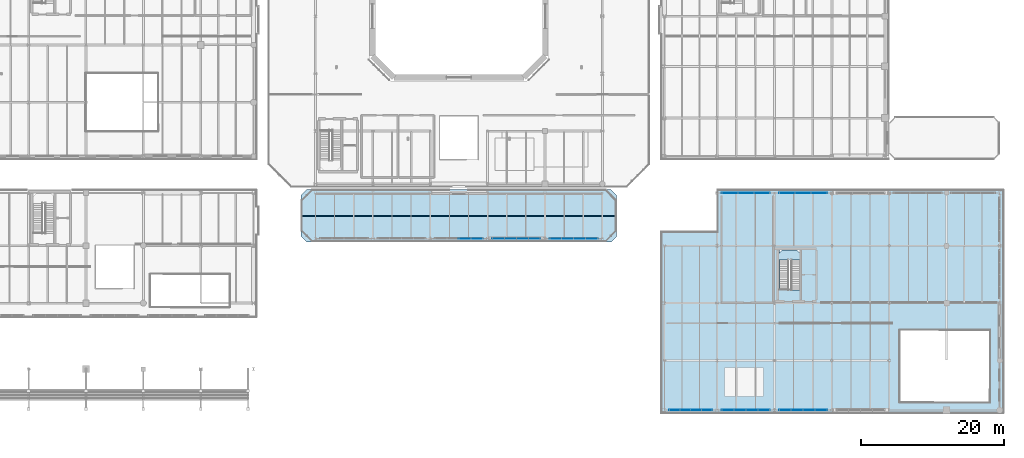
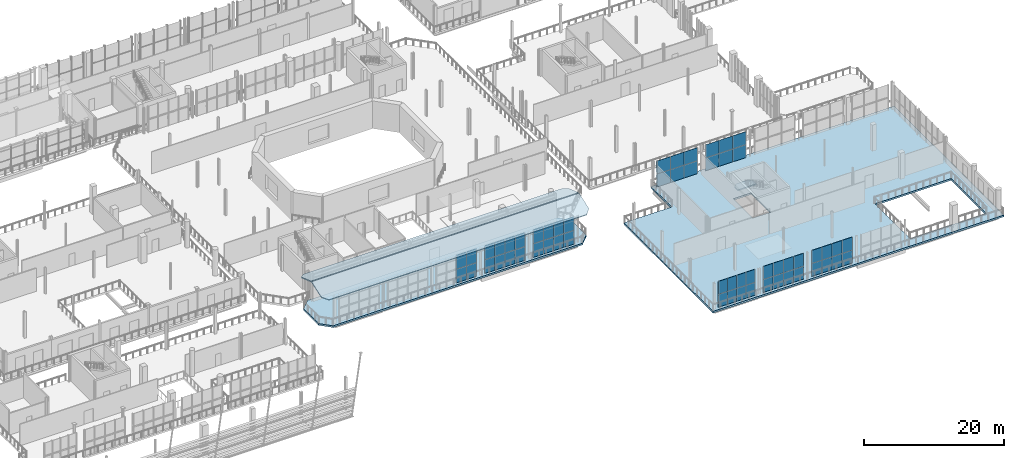
# One storey, part 62 of 93: 56 plates, 5 slabs, 9 elements without a shape of their own.
"""IFC4 building model written with IfcOpenShell, lengths in metres."""

import ifcopenshell
import ifcopenshell.guid

model = None  # the IFC model being written
_history = None  # IfcOwnerHistory: only IFC2X3 demands one
_inside = {}  # id of a spatial element -> (the spatial element, [elements in it])
_under = {}  # id of a project, library or spatial element -> (it, [spatial elements below it])
_declared = {}  # id of a project -> (the project, [libraries it declares])
_typed = {}  # id of a type object -> (the type object, [elements of that type])
_made_of = {}  # id of a material, layer set ... -> (it, [elements and type objects made of it])


def new_model(schema):
    """Start an empty IFC model of exactly this schema.

    Asked for "IFC4X3", IfcOpenShell would pick the latest addendum, in which some entities
    have other attributes; the version numbers below select the first issue.
    IFC2X3 requires an IfcOwnerHistory on every rooted entity: one is made here for all.
    """
    global model, _history
    if schema == "IFC4X3":
        model = ifcopenshell.file(schema_version=(4, 3, 0, 0))
    else:
        model = ifcopenshell.file(schema=schema)
    _inside.clear()
    _under.clear()
    _declared.clear()
    _typed.clear()
    _made_of.clear()
    _history = None
    if model.schema == "IFC2X3":
        org = make("IfcOrganization", Name="unknown")
        user = make(
            "IfcPersonAndOrganization",
            ThePerson=make("IfcPerson", FamilyName="unknown"),
            TheOrganization=org,
        )
        app = make(
            "IfcApplication",
            ApplicationDeveloper=org,
            Version="unknown",
            ApplicationFullName="unknown",
            ApplicationIdentifier="unknown",
        )
        _history = make(
            "IfcOwnerHistory",
            OwningUser=user,
            OwningApplication=app,
            ChangeAction="ADDED",
            CreationDate=0,
        )
    return model


def make(cls, **values):
    """One entity of the class cls with the attributes given. An attribute that is None is left unset."""
    return model.create_entity(
        cls, **{name: value for name, value in values.items() if value is not None}
    )


def rooted(cls, **values):
    """An entity with a GlobalId (a new one), such as an element, a storey or a relation."""
    return make(cls, GlobalId=ifcopenshell.guid.new(), OwnerHistory=_history, **values)


def si_unit(unit_type, name, prefix=None):
    """IfcSIUnit, for example si_unit("LENGTHUNIT", "METRE", prefix="MILLI")."""
    return make("IfcSIUnit", UnitType=unit_type, Prefix=prefix, Name=name)


def assignment(units):
    """IfcUnitAssignment: the units of a project."""
    return None if units is None else make("IfcUnitAssignment", Units=units)


def point(xyz):
    """IfcCartesianPoint."""
    return None if xyz is None else make("IfcCartesianPoint", Coordinates=xyz)


def direction(xyz):
    """IfcDirection."""
    return None if xyz is None else make("IfcDirection", DirectionRatios=xyz)


def frame(location, z_axis=None, x_axis=None):
    """IfcAxis2Placement3D, a coordinate frame: its origin and axes. An axis left out is left unset."""
    return make(
        "IfcAxis2Placement3D",
        Location=point(location),
        Axis=direction(z_axis),
        RefDirection=direction(x_axis),
    )


def frame_2d(location, x_axis=None):
    """IfcAxis2Placement2D, a coordinate frame in the plane: its origin and x axis."""
    return make(
        "IfcAxis2Placement2D", Location=point(location), RefDirection=direction(x_axis)
    )


def origin():
    """The frame at (0, 0, 0) with its axes left unset."""
    return frame((0.0, 0.0, 0.0))


def origin_2d():
    """The frame at (0, 0) in the plane with its x axis left unset."""
    return frame_2d((0.0, 0.0))


def place(relative_to, where):
    """IfcLocalPlacement: puts the frame where relative to a parent placement (None: the world)."""
    return make(
        "IfcLocalPlacement", PlacementRelTo=relative_to, RelativePlacement=where
    )


def context(
    kind, dimensions, precision=None, world=None, true_north=None, identifier=None
):
    """IfcGeometricRepresentationContext, for example the 3D "Model" context."""
    return make(
        "IfcGeometricRepresentationContext",
        ContextIdentifier=identifier,
        ContextType=kind,
        CoordinateSpaceDimension=dimensions,
        Precision=precision,
        WorldCoordinateSystem=world,
        TrueNorth=true_north,
    )


def subcontext(parent, identifier, kind, view, scale=None):
    """IfcGeometricRepresentationSubContext, for example "Body" below "Model"."""
    return make(
        "IfcGeometricRepresentationSubContext",
        ContextIdentifier=identifier,
        ContextType=kind,
        ParentContext=parent,
        TargetScale=scale,
        TargetView=view,
    )


def project(units=None, contexts=None):
    """IfcProject with its units and contexts."""
    return rooted(
        "IfcProject",
        Name="project",
        RepresentationContexts=contexts,
        UnitsInContext=assignment(units),
    )


def spatial(cls, under=None, at=None, **own):
    """A site, building, storey or space (cls), placed at a placement, below another one or the project."""
    s = rooted(cls, ObjectPlacement=at, **own)
    if under is not None:
        _under.setdefault(under.id(), (under, []))[1].append(s)
    return s


def polyline(points):
    """IfcPolyline through the points."""
    return make("IfcPolyline", Points=[point(p) for p in points])


def profile(cls, at=None, kind="AREA", **sizes):
    """A parametric profile (cls). Its sizes go by their IFC names, for example OverallWidth=200.0."""
    return make(cls, ProfileType=kind, Position=at, **sizes)


def rectangle(**sizes):
    """IfcRectangleProfileDef."""
    return profile("IfcRectangleProfileDef", **sizes)


def outline(outer, holes=None, kind="AREA"):
    """IfcArbitraryClosedProfileDef: a profile drawn as a closed curve; with holes, ...WithVoids."""
    if holes is None:
        return make("IfcArbitraryClosedProfileDef", ProfileType=kind, OuterCurve=outer)
    return make(
        "IfcArbitraryProfileDefWithVoids",
        ProfileType=kind,
        OuterCurve=outer,
        InnerCurves=holes,
    )


def extrude(swept, where, along, depth):
    """IfcExtrudedAreaSolid: the profile swept, set in the frame where, extruded along a direction by depth."""
    return make(
        "IfcExtrudedAreaSolid",
        SweptArea=swept,
        Position=where,
        ExtrudedDirection=direction(along),
        Depth=depth,
    )


def shape(context_of_items, identifier, shape_type, items):
    """IfcShapeRepresentation: the items that make up one representation, for example the "Body"."""
    return make(
        "IfcShapeRepresentation",
        ContextOfItems=context_of_items,
        RepresentationIdentifier=identifier,
        RepresentationType=shape_type,
        Items=items,
    )


def material(Name=None, Category=None):
    """IfcMaterial."""
    return make("IfcMaterial", Name=Name, Category=Category)


def layer(
    of_material, thickness, ventilated=None, Name=None, Category=None, Priority=None
):
    """IfcMaterialLayer: one layer of a wall or slab, of a material (None: an air gap)."""
    return make(
        "IfcMaterialLayer",
        Material=of_material,
        LayerThickness=thickness,
        IsVentilated=ventilated,
        Name=Name,
        Category=Category,
        Priority=Priority,
    )


def layer_set(layers, Name=None):
    """IfcMaterialLayerSet."""
    return make("IfcMaterialLayerSet", MaterialLayers=layers, LayerSetName=Name)


def made_of(thing, what):
    """Note that an element or type object is made of a material, layer set ...; save() writes the relation."""
    if what is not None:
        _made_of.setdefault(what.id(), (what, []))[1].append(thing)
    return thing


def type_object(cls, material=None, **own):
    """A type object (cls), such as IfcWallType, which elements share."""
    return made_of(rooted(cls, **own), material)


def element(
    cls,
    number,
    at=None,
    inside=None,
    cuts=None,
    type_object=None,
    material=None,
    context=None,
    identifier="Body",
    shape_type=None,
    held_by="IfcProductDefinitionShape",
    body=None,
    shapes=None,
    **own,
):
    """One element of the class cls, such as IfcWall. Its Tag is "e" and its number.

    at: its placement. inside: the storey or other place that contains it. cuts: it is an
    opening in that element (IfcRelVoidsElement). A single representation is given by context,
    identifier, shape_type and body (its items); several are given by shapes. held_by: the class
    of the entity that holds the representations. save() writes the other relations.
    """
    e = rooted(cls, Tag="e%d" % number, ObjectPlacement=at, **own)
    if body is not None:
        shapes = [shape(context, identifier, shape_type, body)]
    if shapes is not None:
        e.Representation = make(held_by, Representations=shapes)
    if inside is not None:
        _inside.setdefault(inside.id(), (inside, []))[1].append(e)
    if cuts is not None:
        rooted(
            "IfcRelVoidsElement", RelatingBuildingElement=cuts, RelatedOpeningElement=e
        )
    if type_object is not None:
        _typed.setdefault(type_object.id(), (type_object, []))[1].append(e)
    return made_of(e, material)


def aggregate(whole, parts):
    """IfcRelAggregates: a whole, such as a stair, and the parts it consists of."""
    return rooted("IfcRelAggregates", RelatingObject=whole, RelatedObjects=parts)


def save(model, path):
    """Write the relations noted so far, then the file.

    IfcRelAggregates (storeys below a building ...), IfcRelContainedInSpatialStructure (elements
    in a storey), IfcRelDefinesByType, IfcRelAssociatesMaterial and IfcRelDeclares: one each for
    every whole, place, type object, material and project.
    """
    for whole, parts in _under.values():
        aggregate(whole, parts)
    for where, things in _inside.values():
        rooted(
            "IfcRelContainedInSpatialStructure",
            RelatedElements=things,
            RelatingStructure=where,
        )
    for kind, things in _typed.values():
        rooted("IfcRelDefinesByType", RelatedObjects=things, RelatingType=kind)
    for what, things in _made_of.values():
        rooted("IfcRelAssociatesMaterial", RelatedObjects=things, RelatingMaterial=what)
    for by, libraries in _declared.values():
        rooted("IfcRelDeclares", RelatingContext=by, RelatedDefinitions=libraries)
    model.write(path)


model = new_model("IFC4")

# Units and contexts
model_context = context("Model", 3, precision=1e-05, world=origin(), true_north=direction((0.0, 1.0)))
body_context = subcontext(model_context, "Body", "Model", "MODEL_VIEW")
ifc_project = project(units=[si_unit("LENGTHUNIT", "METRE"), si_unit("AREAUNIT", "SQUARE_METRE"), si_unit("VOLUMEUNIT", "CUBIC_METRE"), si_unit("PLANEANGLEUNIT", "RADIAN"), si_unit("MASSUNIT", "GRAM", prefix="KILO")], contexts=[model_context])

# Site, building, storey
site_placement = place(None, origin())
site = spatial("IfcSite", under=ifc_project, at=site_placement, CompositionType="ELEMENT")
building_placement = place(site_placement, origin())
building = spatial("IfcBuilding", under=site, at=building_placement, Name="Brisemont Oceanarium", CompositionType="ELEMENT")
storey_placement = place(building_placement, frame((0.0, 0.0, 5.39990234375)))
storey = spatial("IfcBuildingStorey", under=building, at=storey_placement, Name="L01", CompositionType="ELEMENT", Elevation=5.39990234375)

# Curtain wall, plates
ifc_material_1 = material(Name="Anodized Extruded Aluminum 6063-T6", Category="aluminium")
curtain_wall_type_1 = type_object("IfcCurtainWallType", Name="CW-EDU-58X43", PredefinedType="NOTDEFINED", material=ifc_material_1)
curtain_wall_1_placement = place(storey_placement, origin())
curtain_wall_1 = element("IfcCurtainWall", 1, at=curtain_wall_1_placement, inside=storey, type_object=curtain_wall_type_1, Name="CW-10 curtain wall CW-V3-N-L01-01", PredefinedType="NOTDEFINED")
ifc_material_2 = material(Name="Insulated Low-E Laminated Glass", Category="glass")
ifc_layer_1 = layer(ifc_material_2, 0.02587890625)
ifc_layer_set_1 = layer_set([ifc_layer_1], Name="Insulated Low-E Laminated Glass")
plate_type_1 = type_object("IfcPlateType", Name="PLT-CWP-V10", PredefinedType="CURTAIN_PANEL", material=ifc_layer_set_1)
plate_1_placement = place(storey_placement, frame((121.7666015625, 31.35009765625, 0.00146484375), z_axis=(0.0, 0.0, 1.0), x_axis=(1.0, 0.0, 0.0)))
plate_1 = element("IfcPlate", 2, at=plate_1_placement, type_object=plate_type_1, Name="CW-V3-N-L01-01 panel 1.1", PredefinedType="CURTAIN_PANEL", context=body_context, shape_type="SweptSolid", body=[
    extrude(rectangle(XDim=2.230224609375, YDim=0.02587890625, at=origin_2d()), origin(), (0.0, 0.0, 1.0), 2.257080078125),
])
plate_2_placement = place(storey_placement, frame((121.7666015625, 31.35009765625, 2.26171875), z_axis=(0.0, 0.0, 1.0), x_axis=(1.0, 0.0, 0.0)))
plate_2 = element("IfcPlate", 3, at=plate_2_placement, type_object=plate_type_1, Name="CW-V3-N-L01-01 panel 1.2", PredefinedType="CURTAIN_PANEL", context=body_context, shape_type="SweptSolid", body=[
    extrude(rectangle(XDim=2.230224609375, YDim=0.02587890625, at=origin_2d()), origin(), (0.0, 0.0, 1.0), 2.257080078125),
])
plate_3_placement = place(storey_placement, frame((124.0, 31.35009765625, 0.00146484375), z_axis=(0.0, 0.0, 1.0), x_axis=(1.0, 0.0, 0.0)))
plate_3 = element("IfcPlate", 4, at=plate_3_placement, type_object=plate_type_1, Name="CW-V3-N-L01-01 panel 2.1", PredefinedType="CURTAIN_PANEL", context=body_context, shape_type="SweptSolid", body=[
    extrude(rectangle(XDim=2.230224609375, YDim=0.02587890625, at=origin_2d()), origin(), (0.0, 0.0, 1.0), 2.257080078125),
])
plate_4_placement = place(storey_placement, frame((124.0, 31.35009765625, 2.26171875), z_axis=(0.0, 0.0, 1.0), x_axis=(1.0, 0.0, 0.0)))
plate_4 = element("IfcPlate", 5, at=plate_4_placement, type_object=plate_type_1, Name="CW-V3-N-L01-01 panel 2.2", PredefinedType="CURTAIN_PANEL", context=body_context, shape_type="SweptSolid", body=[
    extrude(rectangle(XDim=2.230224609375, YDim=0.02587890625, at=origin_2d()), origin(), (0.0, 0.0, 1.0), 2.257080078125),
])
plate_5_placement = place(storey_placement, frame((126.2333984375, 31.35009765625, 0.00146484375), z_axis=(0.0, 0.0, 1.0), x_axis=(1.0, 0.0, 0.0)))
plate_5 = element("IfcPlate", 6, at=plate_5_placement, type_object=plate_type_1, Name="CW-V3-N-L01-01 panel 3.1", PredefinedType="CURTAIN_PANEL", context=body_context, shape_type="SweptSolid", body=[
    extrude(rectangle(XDim=2.230224609375, YDim=0.02587890625, at=origin_2d()), origin(), (0.0, 0.0, 1.0), 2.257080078125),
])
plate_6_placement = place(storey_placement, frame((126.2333984375, 31.35009765625, 2.26171875), z_axis=(0.0, 0.0, 1.0), x_axis=(1.0, 0.0, 0.0)))
plate_6 = element("IfcPlate", 7, at=plate_6_placement, type_object=plate_type_1, Name="CW-V3-N-L01-01 panel 3.2", PredefinedType="CURTAIN_PANEL", context=body_context, shape_type="SweptSolid", body=[
    extrude(rectangle(XDim=2.230224609375, YDim=0.02587890625, at=origin_2d()), origin(), (0.0, 0.0, 1.0), 2.257080078125),
])
aggregate(curtain_wall_1, [plate_1, plate_2, plate_3, plate_4, plate_5, plate_6])

curtain_wall_2_placement = place(storey_placement, origin())
curtain_wall_2 = element("IfcCurtainWall", 8, at=curtain_wall_2_placement, inside=storey, type_object=curtain_wall_type_1, Name="CW-10 curtain wall CW-V3-N-L01-02", PredefinedType="NOTDEFINED")
plate_7_placement = place(storey_placement, frame((129.7666015625, 31.35009765625, 0.00146484375), z_axis=(0.0, 0.0, 1.0), x_axis=(1.0, 0.0, 0.0)))
plate_7 = element("IfcPlate", 9, at=plate_7_placement, type_object=plate_type_1, Name="CW-V3-N-L01-02 panel 1.1", PredefinedType="CURTAIN_PANEL", context=body_context, shape_type="SweptSolid", body=[
    extrude(rectangle(XDim=2.230224609375, YDim=0.02587890625, at=origin_2d()), origin(), (0.0, 0.0, 1.0), 2.257080078125),
])
plate_8_placement = place(storey_placement, frame((129.7666015625, 31.35009765625, 2.26171875), z_axis=(0.0, 0.0, 1.0), x_axis=(1.0, 0.0, 0.0)))
plate_8 = element("IfcPlate", 10, at=plate_8_placement, type_object=plate_type_1, Name="CW-V3-N-L01-02 panel 1.2", PredefinedType="CURTAIN_PANEL", context=body_context, shape_type="SweptSolid", body=[
    extrude(rectangle(XDim=2.230224609375, YDim=0.02587890625, at=origin_2d()), origin(), (0.0, 0.0, 1.0), 2.257080078125),
])
plate_9_placement = place(storey_placement, frame((132.0, 31.35009765625, 0.00146484375), z_axis=(0.0, 0.0, 1.0), x_axis=(1.0, 0.0, 0.0)))
plate_9 = element("IfcPlate", 11, at=plate_9_placement, type_object=plate_type_1, Name="CW-V3-N-L01-02 panel 2.1", PredefinedType="CURTAIN_PANEL", context=body_context, shape_type="SweptSolid", body=[
    extrude(rectangle(XDim=2.230224609375, YDim=0.02587890625, at=origin_2d()), origin(), (0.0, 0.0, 1.0), 2.257080078125),
])
plate_10_placement = place(storey_placement, frame((132.0, 31.35009765625, 2.26171875), z_axis=(0.0, 0.0, 1.0), x_axis=(1.0, 0.0, 0.0)))
plate_10 = element("IfcPlate", 12, at=plate_10_placement, type_object=plate_type_1, Name="CW-V3-N-L01-02 panel 2.2", PredefinedType="CURTAIN_PANEL", context=body_context, shape_type="SweptSolid", body=[
    extrude(rectangle(XDim=2.230224609375, YDim=0.02587890625, at=origin_2d()), origin(), (0.0, 0.0, 1.0), 2.257080078125),
])
plate_11_placement = place(storey_placement, frame((134.2333984375, 31.35009765625, 0.00146484375), z_axis=(0.0, 0.0, 1.0), x_axis=(1.0, 0.0, 0.0)))
plate_11 = element("IfcPlate", 13, at=plate_11_placement, type_object=plate_type_1, Name="CW-V3-N-L01-02 panel 3.1", PredefinedType="CURTAIN_PANEL", context=body_context, shape_type="SweptSolid", body=[
    extrude(rectangle(XDim=2.230224609375, YDim=0.02587890625, at=origin_2d()), origin(), (0.0, 0.0, 1.0), 2.257080078125),
])
plate_12_placement = place(storey_placement, frame((134.2333984375, 31.35009765625, 2.26171875), z_axis=(0.0, 0.0, 1.0), x_axis=(1.0, 0.0, 0.0)))
plate_12 = element("IfcPlate", 14, at=plate_12_placement, type_object=plate_type_1, Name="CW-V3-N-L01-02 panel 3.2", PredefinedType="CURTAIN_PANEL", context=body_context, shape_type="SweptSolid", body=[
    extrude(rectangle(XDim=2.230224609375, YDim=0.02587890625, at=origin_2d()), origin(), (0.0, 0.0, 1.0), 2.257080078125),
])
aggregate(curtain_wall_2, [plate_7, plate_8, plate_9, plate_10, plate_11, plate_12])

ifc_material_3 = material(Name="Anodized Extruded Aluminum 6063-T6", Category="aluminium")
curtain_wall_type_2 = type_object("IfcCurtainWallType", Name="CW-ROT-69X44", PredefinedType="NOTDEFINED", material=ifc_material_3)
curtain_wall_3_placement = place(storey_placement, origin())
curtain_wall_3 = element("IfcCurtainWall", 15, at=curtain_wall_3_placement, inside=storey, type_object=curtain_wall_type_2, Name="CW-03 curtain wall CW-V1P-S-L01-03", PredefinedType="NOTDEFINED")
ifc_material_4 = material(Name="Insulated Low-E Laminated Glass", Category="glass")
ifc_layer_2 = layer(ifc_material_4, 0.028076171875)
ifc_layer_set_2 = layer_set([ifc_layer_2], Name="Insulated Low-E Laminated Glass")
plate_type_2 = type_object("IfcPlateType", Name="PLT-CWP-V3", PredefinedType="CURTAIN_PANEL", material=ifc_layer_set_2)
plate_13_placement = place(storey_placement, frame((84.83740234375, 25.0, 0.001708984375), z_axis=(0.0, 0.0, 1.0), x_axis=(1.0, 0.0, 0.0)))
plate_13 = element("IfcPlate", 16, at=plate_13_placement, type_object=plate_type_2, Name="CW-V1P-S-L01-03 panel 3.1", PredefinedType="CURTAIN_PANEL", context=body_context, shape_type="SweptSolid", body=[
    extrude(rectangle(XDim=1.672119140625, YDim=0.028076171875, at=origin_2d()), origin(), (0.0, 0.0, 1.0), 2.39697265625),
])
plate_14_placement = place(storey_placement, frame((84.83740234375, 25.0, 2.401611328125), z_axis=(0.0, 0.0, 1.0), x_axis=(1.0, 0.0, 0.0)))
plate_14 = element("IfcPlate", 17, at=plate_14_placement, type_object=plate_type_2, Name="CW-V1P-S-L01-03 panel 3.2", PredefinedType="CURTAIN_PANEL", context=body_context, shape_type="SweptSolid", body=[
    extrude(rectangle(XDim=1.672119140625, YDim=0.028076171875, at=origin_2d()), origin(), (0.0, 0.0, 1.0), 2.39697265625),
])
plate_15_placement = place(storey_placement, frame((86.512451171875, 25.0, 0.001708984375), z_axis=(0.0, 0.0, 1.0), x_axis=(1.0, 0.0, 0.0)))
plate_15 = element("IfcPlate", 18, at=plate_15_placement, type_object=plate_type_2, Name="CW-V1P-S-L01-03 panel 4.1", PredefinedType="CURTAIN_PANEL", context=body_context, shape_type="SweptSolid", body=[
    extrude(rectangle(XDim=1.672119140625, YDim=0.028076171875, at=origin_2d()), origin(), (0.0, 0.0, 1.0), 2.39697265625),
])
plate_16_placement = place(storey_placement, frame((86.512451171875, 25.0, 2.401611328125), z_axis=(0.0, 0.0, 1.0), x_axis=(1.0, 0.0, 0.0)))
plate_16 = element("IfcPlate", 19, at=plate_16_placement, type_object=plate_type_2, Name="CW-V1P-S-L01-03 panel 4.2", PredefinedType="CURTAIN_PANEL", context=body_context, shape_type="SweptSolid", body=[
    extrude(rectangle(XDim=1.672119140625, YDim=0.028076171875, at=origin_2d()), origin(), (0.0, 0.0, 1.0), 2.39697265625),
])
aggregate(curtain_wall_3, [plate_13, plate_14, plate_15, plate_16])

curtain_wall_4_placement = place(storey_placement, origin())
curtain_wall_4 = element("IfcCurtainWall", 20, at=curtain_wall_4_placement, inside=storey, type_object=curtain_wall_type_2, Name="CW-03 curtain wall CW-V1P-S-L01-04", PredefinedType="NOTDEFINED")
plate_17_placement = place(storey_placement, frame((89.487548828125, 25.0, 0.001708984375), z_axis=(0.0, 0.0, 1.0), x_axis=(1.0, 0.0, 0.0)))
plate_17 = element("IfcPlate", 21, at=plate_17_placement, type_object=plate_type_2, Name="CW-V1P-S-L01-04 panel 1.1", PredefinedType="CURTAIN_PANEL", context=body_context, shape_type="SweptSolid", body=[
    extrude(rectangle(XDim=1.672119140625, YDim=0.028076171875, at=origin_2d()), origin(), (0.0, 0.0, 1.0), 2.39697265625),
])
plate_18_placement = place(storey_placement, frame((89.487548828125, 25.0, 2.401611328125), z_axis=(0.0, 0.0, 1.0), x_axis=(1.0, 0.0, 0.0)))
plate_18 = element("IfcPlate", 22, at=plate_18_placement, type_object=plate_type_2, Name="CW-V1P-S-L01-04 panel 1.2", PredefinedType="CURTAIN_PANEL", context=body_context, shape_type="SweptSolid", body=[
    extrude(rectangle(XDim=1.672119140625, YDim=0.028076171875, at=origin_2d()), origin(), (0.0, 0.0, 1.0), 2.39697265625),
])
plate_19_placement = place(storey_placement, frame((91.16259765625, 25.0, 0.001708984375), z_axis=(0.0, 0.0, 1.0), x_axis=(1.0, 0.0, 0.0)))
plate_19 = element("IfcPlate", 23, at=plate_19_placement, type_object=plate_type_2, Name="CW-V1P-S-L01-04 panel 2.1", PredefinedType="CURTAIN_PANEL", context=body_context, shape_type="SweptSolid", body=[
    extrude(rectangle(XDim=1.672119140625, YDim=0.028076171875, at=origin_2d()), origin(), (0.0, 0.0, 1.0), 2.39697265625),
])
plate_20_placement = place(storey_placement, frame((91.16259765625, 25.0, 2.401611328125), z_axis=(0.0, 0.0, 1.0), x_axis=(1.0, 0.0, 0.0)))
plate_20 = element("IfcPlate", 24, at=plate_20_placement, type_object=plate_type_2, Name="CW-V1P-S-L01-04 panel 2.2", PredefinedType="CURTAIN_PANEL", context=body_context, shape_type="SweptSolid", body=[
    extrude(rectangle(XDim=1.672119140625, YDim=0.028076171875, at=origin_2d()), origin(), (0.0, 0.0, 1.0), 2.39697265625),
])
plate_21_placement = place(storey_placement, frame((92.83740234375, 25.0, 0.001708984375), z_axis=(0.0, 0.0, 1.0), x_axis=(1.0, 0.0, 0.0)))
plate_21 = element("IfcPlate", 25, at=plate_21_placement, type_object=plate_type_2, Name="CW-V1P-S-L01-04 panel 3.1", PredefinedType="CURTAIN_PANEL", context=body_context, shape_type="SweptSolid", body=[
    extrude(rectangle(XDim=1.672119140625, YDim=0.028076171875, at=origin_2d()), origin(), (0.0, 0.0, 1.0), 2.39697265625),
])
plate_22_placement = place(storey_placement, frame((92.83740234375, 25.0, 2.401611328125), z_axis=(0.0, 0.0, 1.0), x_axis=(1.0, 0.0, 0.0)))
plate_22 = element("IfcPlate", 26, at=plate_22_placement, type_object=plate_type_2, Name="CW-V1P-S-L01-04 panel 3.2", PredefinedType="CURTAIN_PANEL", context=body_context, shape_type="SweptSolid", body=[
    extrude(rectangle(XDim=1.672119140625, YDim=0.028076171875, at=origin_2d()), origin(), (0.0, 0.0, 1.0), 2.39697265625),
])
plate_23_placement = place(storey_placement, frame((94.512451171875, 25.0, 0.001708984375), z_axis=(0.0, 0.0, 1.0), x_axis=(1.0, 0.0, 0.0)))
plate_23 = element("IfcPlate", 27, at=plate_23_placement, type_object=plate_type_2, Name="CW-V1P-S-L01-04 panel 4.1", PredefinedType="CURTAIN_PANEL", context=body_context, shape_type="SweptSolid", body=[
    extrude(rectangle(XDim=1.672119140625, YDim=0.028076171875, at=origin_2d()), origin(), (0.0, 0.0, 1.0), 2.39697265625),
])
plate_24_placement = place(storey_placement, frame((94.512451171875, 25.0, 2.401611328125), z_axis=(0.0, 0.0, 1.0), x_axis=(1.0, 0.0, 0.0)))
plate_24 = element("IfcPlate", 28, at=plate_24_placement, type_object=plate_type_2, Name="CW-V1P-S-L01-04 panel 4.2", PredefinedType="CURTAIN_PANEL", context=body_context, shape_type="SweptSolid", body=[
    extrude(rectangle(XDim=1.672119140625, YDim=0.028076171875, at=origin_2d()), origin(), (0.0, 0.0, 1.0), 2.39697265625),
])
aggregate(curtain_wall_4, [plate_17, plate_18, plate_19, plate_20, plate_21, plate_22, plate_23, plate_24])

curtain_wall_5_placement = place(storey_placement, origin())
curtain_wall_5 = element("IfcCurtainWall", 29, at=curtain_wall_5_placement, inside=storey, type_object=curtain_wall_type_2, Name="CW-03 curtain wall CW-V1P-S-L01-05", PredefinedType="NOTDEFINED")
plate_25_placement = place(storey_placement, frame((97.487548828125, 25.0, 0.001708984375), z_axis=(0.0, 0.0, 1.0), x_axis=(1.0, 0.0, 0.0)))
plate_25 = element("IfcPlate", 30, at=plate_25_placement, type_object=plate_type_2, Name="CW-V1P-S-L01-05 panel 1.1", PredefinedType="CURTAIN_PANEL", context=body_context, shape_type="SweptSolid", body=[
    extrude(rectangle(XDim=1.672119140625, YDim=0.028076171875, at=origin_2d()), origin(), (0.0, 0.0, 1.0), 2.39697265625),
])
plate_26_placement = place(storey_placement, frame((97.487548828125, 25.0, 2.401611328125), z_axis=(0.0, 0.0, 1.0), x_axis=(1.0, 0.0, 0.0)))
plate_26 = element("IfcPlate", 31, at=plate_26_placement, type_object=plate_type_2, Name="CW-V1P-S-L01-05 panel 1.2", PredefinedType="CURTAIN_PANEL", context=body_context, shape_type="SweptSolid", body=[
    extrude(rectangle(XDim=1.672119140625, YDim=0.028076171875, at=origin_2d()), origin(), (0.0, 0.0, 1.0), 2.39697265625),
])
plate_27_placement = place(storey_placement, frame((99.16259765625, 25.0, 0.001708984375), z_axis=(0.0, 0.0, 1.0), x_axis=(1.0, 0.0, 0.0)))
plate_27 = element("IfcPlate", 32, at=plate_27_placement, type_object=plate_type_2, Name="CW-V1P-S-L01-05 panel 2.1", PredefinedType="CURTAIN_PANEL", context=body_context, shape_type="SweptSolid", body=[
    extrude(rectangle(XDim=1.672119140625, YDim=0.028076171875, at=origin_2d()), origin(), (0.0, 0.0, 1.0), 2.39697265625),
])
plate_28_placement = place(storey_placement, frame((99.16259765625, 25.0, 2.401611328125), z_axis=(0.0, 0.0, 1.0), x_axis=(1.0, 0.0, 0.0)))
plate_28 = element("IfcPlate", 33, at=plate_28_placement, type_object=plate_type_2, Name="CW-V1P-S-L01-05 panel 2.2", PredefinedType="CURTAIN_PANEL", context=body_context, shape_type="SweptSolid", body=[
    extrude(rectangle(XDim=1.672119140625, YDim=0.028076171875, at=origin_2d()), origin(), (0.0, 0.0, 1.0), 2.39697265625),
])
plate_29_placement = place(storey_placement, frame((100.83740234375, 25.0, 0.001708984375), z_axis=(0.0, 0.0, 1.0), x_axis=(1.0, 0.0, 0.0)))
plate_29 = element("IfcPlate", 34, at=plate_29_placement, type_object=plate_type_2, Name="CW-V1P-S-L01-05 panel 3.1", PredefinedType="CURTAIN_PANEL", context=body_context, shape_type="SweptSolid", body=[
    extrude(rectangle(XDim=1.672119140625, YDim=0.028076171875, at=origin_2d()), origin(), (0.0, 0.0, 1.0), 2.39697265625),
])
plate_30_placement = place(storey_placement, frame((100.83740234375, 25.0, 2.401611328125), z_axis=(0.0, 0.0, 1.0), x_axis=(1.0, 0.0, 0.0)))
plate_30 = element("IfcPlate", 35, at=plate_30_placement, type_object=plate_type_2, Name="CW-V1P-S-L01-05 panel 3.2", PredefinedType="CURTAIN_PANEL", context=body_context, shape_type="SweptSolid", body=[
    extrude(rectangle(XDim=1.672119140625, YDim=0.028076171875, at=origin_2d()), origin(), (0.0, 0.0, 1.0), 2.39697265625),
])
plate_31_placement = place(storey_placement, frame((102.512451171875, 25.0, 0.001708984375), z_axis=(0.0, 0.0, 1.0), x_axis=(1.0, 0.0, 0.0)))
plate_31 = element("IfcPlate", 36, at=plate_31_placement, type_object=plate_type_2, Name="CW-V1P-S-L01-05 panel 4.1", PredefinedType="CURTAIN_PANEL", context=body_context, shape_type="SweptSolid", body=[
    extrude(rectangle(XDim=1.672119140625, YDim=0.028076171875, at=origin_2d()), origin(), (0.0, 0.0, 1.0), 2.39697265625),
])
plate_32_placement = place(storey_placement, frame((102.512451171875, 25.0, 2.401611328125), z_axis=(0.0, 0.0, 1.0), x_axis=(1.0, 0.0, 0.0)))
plate_32 = element("IfcPlate", 37, at=plate_32_placement, type_object=plate_type_2, Name="CW-V1P-S-L01-05 panel 4.2", PredefinedType="CURTAIN_PANEL", context=body_context, shape_type="SweptSolid", body=[
    extrude(rectangle(XDim=1.672119140625, YDim=0.028076171875, at=origin_2d()), origin(), (0.0, 0.0, 1.0), 2.39697265625),
])
aggregate(curtain_wall_5, [plate_25, plate_26, plate_27, plate_28, plate_29, plate_30, plate_31, plate_32])

ifc_material_5 = material(Name="Anodized Extruded Aluminum 6063-T6", Category="aluminium")
curtain_wall_type_3 = type_object("IfcCurtainWallType", Name="CW-EDU-69X45", PredefinedType="NOTDEFINED", material=ifc_material_5)
curtain_wall_6_placement = place(storey_placement, origin())
curtain_wall_6 = element("IfcCurtainWall", 38, at=curtain_wall_6_placement, inside=storey, type_object=curtain_wall_type_3, Name="CW-07 curtain wall CW-V3-S-L01-01", PredefinedType="NOTDEFINED")
ifc_material_6 = material(Name="Insulated Low-E Laminated Glass", Category="glass")
ifc_layer_3 = layer(ifc_material_6, 0.028076171875)
ifc_layer_set_3 = layer_set([ifc_layer_3], Name="Insulated Low-E Laminated Glass")
plate_type_3 = type_object("IfcPlateType", Name="PLT-CWP-V7", PredefinedType="CURTAIN_PANEL", material=ifc_layer_set_3)
plate_33_placement = place(storey_placement, frame((114.05615234375, 1.10009765625, 0.00146484375), z_axis=(0.0, 0.0, 1.0), x_axis=(1.0, 0.0, 0.0)))
plate_33 = element("IfcPlate", 39, at=plate_33_placement, type_object=plate_type_3, Name="CW-V3-S-L01-01 panel 1.1", PredefinedType="CURTAIN_PANEL", context=body_context, shape_type="SweptSolid", body=[
    extrude(rectangle(XDim=1.509521484375, YDim=0.028076171875, at=origin_2d()), origin(), (0.0, 0.0, 1.0), 2.257080078125),
])
plate_34_placement = place(storey_placement, frame((114.05615234375, 1.10009765625, 2.26171875), z_axis=(0.0, 0.0, 1.0), x_axis=(1.0, 0.0, 0.0)))
plate_34 = element("IfcPlate", 40, at=plate_34_placement, type_object=plate_type_3, Name="CW-V3-S-L01-01 panel 1.2", PredefinedType="CURTAIN_PANEL", context=body_context, shape_type="SweptSolid", body=[
    extrude(rectangle(XDim=1.509521484375, YDim=0.028076171875, at=origin_2d()), origin(), (0.0, 0.0, 1.0), 2.257080078125),
])
plate_35_placement = place(storey_placement, frame((115.568603515625, 1.10009765625, 0.00146484375), z_axis=(0.0, 0.0, 1.0), x_axis=(1.0, 0.0, 0.0)))
plate_35 = element("IfcPlate", 41, at=plate_35_placement, type_object=plate_type_3, Name="CW-V3-S-L01-01 panel 2.1", PredefinedType="CURTAIN_PANEL", context=body_context, shape_type="SweptSolid", body=[
    extrude(rectangle(XDim=1.509521484375, YDim=0.028076171875, at=origin_2d()), origin(), (0.0, 0.0, 1.0), 2.257080078125),
])
plate_36_placement = place(storey_placement, frame((115.568603515625, 1.10009765625, 2.26171875), z_axis=(0.0, 0.0, 1.0), x_axis=(1.0, 0.0, 0.0)))
plate_36 = element("IfcPlate", 42, at=plate_36_placement, type_object=plate_type_3, Name="CW-V3-S-L01-01 panel 2.2", PredefinedType="CURTAIN_PANEL", context=body_context, shape_type="SweptSolid", body=[
    extrude(rectangle(XDim=1.509521484375, YDim=0.028076171875, at=origin_2d()), origin(), (0.0, 0.0, 1.0), 2.257080078125),
])
plate_37_placement = place(storey_placement, frame((117.081298828125, 1.10009765625, 0.00146484375), z_axis=(0.0, 0.0, 1.0), x_axis=(1.0, 0.0, 0.0)))
plate_37 = element("IfcPlate", 43, at=plate_37_placement, type_object=plate_type_3, Name="CW-V3-S-L01-01 panel 3.1", PredefinedType="CURTAIN_PANEL", context=body_context, shape_type="SweptSolid", body=[
    extrude(rectangle(XDim=1.509521484375, YDim=0.028076171875, at=origin_2d()), origin(), (0.0, 0.0, 1.0), 2.257080078125),
])
plate_38_placement = place(storey_placement, frame((117.081298828125, 1.10009765625, 2.26171875), z_axis=(0.0, 0.0, 1.0), x_axis=(1.0, 0.0, 0.0)))
plate_38 = element("IfcPlate", 44, at=plate_38_placement, type_object=plate_type_3, Name="CW-V3-S-L01-01 panel 3.2", PredefinedType="CURTAIN_PANEL", context=body_context, shape_type="SweptSolid", body=[
    extrude(rectangle(XDim=1.509521484375, YDim=0.028076171875, at=origin_2d()), origin(), (0.0, 0.0, 1.0), 2.257080078125),
])
plate_39_placement = place(storey_placement, frame((118.59375, 1.10009765625, 0.00146484375), z_axis=(0.0, 0.0, 1.0), x_axis=(1.0, 0.0, 0.0)))
plate_39 = element("IfcPlate", 45, at=plate_39_placement, type_object=plate_type_3, Name="CW-V3-S-L01-01 panel 4.1", PredefinedType="CURTAIN_PANEL", context=body_context, shape_type="SweptSolid", body=[
    extrude(rectangle(XDim=1.509521484375, YDim=0.028076171875, at=origin_2d()), origin(), (0.0, 0.0, 1.0), 2.257080078125),
])
plate_40_placement = place(storey_placement, frame((118.59375, 1.10009765625, 2.26171875), z_axis=(0.0, 0.0, 1.0), x_axis=(1.0, 0.0, 0.0)))
plate_40 = element("IfcPlate", 46, at=plate_40_placement, type_object=plate_type_3, Name="CW-V3-S-L01-01 panel 4.2", PredefinedType="CURTAIN_PANEL", context=body_context, shape_type="SweptSolid", body=[
    extrude(rectangle(XDim=1.509521484375, YDim=0.028076171875, at=origin_2d()), origin(), (0.0, 0.0, 1.0), 2.257080078125),
])
aggregate(curtain_wall_6, [plate_33, plate_34, plate_35, plate_36, plate_37, plate_38, plate_39, plate_40])

curtain_wall_7_placement = place(storey_placement, origin())
curtain_wall_7 = element("IfcCurtainWall", 47, at=curtain_wall_7_placement, inside=storey, type_object=curtain_wall_type_3, Name="CW-07 curtain wall CW-V3-S-L01-02", PredefinedType="NOTDEFINED")
plate_41_placement = place(storey_placement, frame((121.487548828125, 1.10009765625, 0.00146484375), z_axis=(0.0, 0.0, 1.0), x_axis=(1.0, 0.0, 0.0)))
plate_41 = element("IfcPlate", 48, at=plate_41_placement, type_object=plate_type_3, Name="CW-V3-S-L01-02 panel 1.1", PredefinedType="CURTAIN_PANEL", context=body_context, shape_type="SweptSolid", body=[
    extrude(rectangle(XDim=1.672119140625, YDim=0.028076171875, at=origin_2d()), origin(), (0.0, 0.0, 1.0), 2.257080078125),
])
plate_42_placement = place(storey_placement, frame((121.487548828125, 1.10009765625, 2.26171875), z_axis=(0.0, 0.0, 1.0), x_axis=(1.0, 0.0, 0.0)))
plate_42 = element("IfcPlate", 49, at=plate_42_placement, type_object=plate_type_3, Name="CW-V3-S-L01-02 panel 1.2", PredefinedType="CURTAIN_PANEL", context=body_context, shape_type="SweptSolid", body=[
    extrude(rectangle(XDim=1.672119140625, YDim=0.028076171875, at=origin_2d()), origin(), (0.0, 0.0, 1.0), 2.257080078125),
])
plate_43_placement = place(storey_placement, frame((123.16259765625, 1.10009765625, 0.00146484375), z_axis=(0.0, 0.0, 1.0), x_axis=(1.0, 0.0, 0.0)))
plate_43 = element("IfcPlate", 50, at=plate_43_placement, type_object=plate_type_3, Name="CW-V3-S-L01-02 panel 2.1", PredefinedType="CURTAIN_PANEL", context=body_context, shape_type="SweptSolid", body=[
    extrude(rectangle(XDim=1.672119140625, YDim=0.028076171875, at=origin_2d()), origin(), (0.0, 0.0, 1.0), 2.257080078125),
])
plate_44_placement = place(storey_placement, frame((123.16259765625, 1.10009765625, 2.26171875), z_axis=(0.0, 0.0, 1.0), x_axis=(1.0, 0.0, 0.0)))
plate_44 = element("IfcPlate", 51, at=plate_44_placement, type_object=plate_type_3, Name="CW-V3-S-L01-02 panel 2.2", PredefinedType="CURTAIN_PANEL", context=body_context, shape_type="SweptSolid", body=[
    extrude(rectangle(XDim=1.672119140625, YDim=0.028076171875, at=origin_2d()), origin(), (0.0, 0.0, 1.0), 2.257080078125),
])
plate_45_placement = place(storey_placement, frame((124.83740234375, 1.10009765625, 0.00146484375), z_axis=(0.0, 0.0, 1.0), x_axis=(1.0, 0.0, 0.0)))
plate_45 = element("IfcPlate", 52, at=plate_45_placement, type_object=plate_type_3, Name="CW-V3-S-L01-02 panel 3.1", PredefinedType="CURTAIN_PANEL", context=body_context, shape_type="SweptSolid", body=[
    extrude(rectangle(XDim=1.672119140625, YDim=0.028076171875, at=origin_2d()), origin(), (0.0, 0.0, 1.0), 2.257080078125),
])
plate_46_placement = place(storey_placement, frame((124.83740234375, 1.10009765625, 2.26171875), z_axis=(0.0, 0.0, 1.0), x_axis=(1.0, 0.0, 0.0)))
plate_46 = element("IfcPlate", 53, at=plate_46_placement, type_object=plate_type_3, Name="CW-V3-S-L01-02 panel 3.2", PredefinedType="CURTAIN_PANEL", context=body_context, shape_type="SweptSolid", body=[
    extrude(rectangle(XDim=1.672119140625, YDim=0.028076171875, at=origin_2d()), origin(), (0.0, 0.0, 1.0), 2.257080078125),
])
plate_47_placement = place(storey_placement, frame((126.512451171875, 1.10009765625, 0.00146484375), z_axis=(0.0, 0.0, 1.0), x_axis=(1.0, 0.0, 0.0)))
plate_47 = element("IfcPlate", 54, at=plate_47_placement, type_object=plate_type_3, Name="CW-V3-S-L01-02 panel 4.1", PredefinedType="CURTAIN_PANEL", context=body_context, shape_type="SweptSolid", body=[
    extrude(rectangle(XDim=1.672119140625, YDim=0.028076171875, at=origin_2d()), origin(), (0.0, 0.0, 1.0), 2.257080078125),
])
plate_48_placement = place(storey_placement, frame((126.512451171875, 1.10009765625, 2.26171875), z_axis=(0.0, 0.0, 1.0), x_axis=(1.0, 0.0, 0.0)))
plate_48 = element("IfcPlate", 55, at=plate_48_placement, type_object=plate_type_3, Name="CW-V3-S-L01-02 panel 4.2", PredefinedType="CURTAIN_PANEL", context=body_context, shape_type="SweptSolid", body=[
    extrude(rectangle(XDim=1.672119140625, YDim=0.028076171875, at=origin_2d()), origin(), (0.0, 0.0, 1.0), 2.257080078125),
])
aggregate(curtain_wall_7, [plate_41, plate_42, plate_43, plate_44, plate_45, plate_46, plate_47, plate_48])

curtain_wall_8_placement = place(storey_placement, origin())
curtain_wall_8 = element("IfcCurtainWall", 56, at=curtain_wall_8_placement, inside=storey, type_object=curtain_wall_type_3, Name="CW-07 curtain wall CW-V3-S-L01-03", PredefinedType="NOTDEFINED")
plate_49_placement = place(storey_placement, frame((129.487548828125, 1.10009765625, 0.00146484375), z_axis=(0.0, 0.0, 1.0), x_axis=(1.0, 0.0, 0.0)))
plate_49 = element("IfcPlate", 57, at=plate_49_placement, type_object=plate_type_3, Name="CW-V3-S-L01-03 panel 1.1", PredefinedType="CURTAIN_PANEL", context=body_context, shape_type="SweptSolid", body=[
    extrude(rectangle(XDim=1.672119140625, YDim=0.028076171875, at=origin_2d()), origin(), (0.0, 0.0, 1.0), 2.257080078125),
])
plate_50_placement = place(storey_placement, frame((129.487548828125, 1.10009765625, 2.26171875), z_axis=(0.0, 0.0, 1.0), x_axis=(1.0, 0.0, 0.0)))
plate_50 = element("IfcPlate", 58, at=plate_50_placement, type_object=plate_type_3, Name="CW-V3-S-L01-03 panel 1.2", PredefinedType="CURTAIN_PANEL", context=body_context, shape_type="SweptSolid", body=[
    extrude(rectangle(XDim=1.672119140625, YDim=0.028076171875, at=origin_2d()), origin(), (0.0, 0.0, 1.0), 2.257080078125),
])
plate_51_placement = place(storey_placement, frame((131.16259765625, 1.10009765625, 0.00146484375), z_axis=(0.0, 0.0, 1.0), x_axis=(1.0, 0.0, 0.0)))
plate_51 = element("IfcPlate", 59, at=plate_51_placement, type_object=plate_type_3, Name="CW-V3-S-L01-03 panel 2.1", PredefinedType="CURTAIN_PANEL", context=body_context, shape_type="SweptSolid", body=[
    extrude(rectangle(XDim=1.672119140625, YDim=0.028076171875, at=origin_2d()), origin(), (0.0, 0.0, 1.0), 2.257080078125),
])
plate_52_placement = place(storey_placement, frame((131.16259765625, 1.10009765625, 2.26171875), z_axis=(0.0, 0.0, 1.0), x_axis=(1.0, 0.0, 0.0)))
plate_52 = element("IfcPlate", 60, at=plate_52_placement, type_object=plate_type_3, Name="CW-V3-S-L01-03 panel 2.2", PredefinedType="CURTAIN_PANEL", context=body_context, shape_type="SweptSolid", body=[
    extrude(rectangle(XDim=1.672119140625, YDim=0.028076171875, at=origin_2d()), origin(), (0.0, 0.0, 1.0), 2.257080078125),
])
plate_53_placement = place(storey_placement, frame((132.83740234375, 1.10009765625, 0.00146484375), z_axis=(0.0, 0.0, 1.0), x_axis=(1.0, 0.0, 0.0)))
plate_53 = element("IfcPlate", 61, at=plate_53_placement, type_object=plate_type_3, Name="CW-V3-S-L01-03 panel 3.1", PredefinedType="CURTAIN_PANEL", context=body_context, shape_type="SweptSolid", body=[
    extrude(rectangle(XDim=1.672119140625, YDim=0.028076171875, at=origin_2d()), origin(), (0.0, 0.0, 1.0), 2.257080078125),
])
plate_54_placement = place(storey_placement, frame((132.83740234375, 1.10009765625, 2.26171875), z_axis=(0.0, 0.0, 1.0), x_axis=(1.0, 0.0, 0.0)))
plate_54 = element("IfcPlate", 62, at=plate_54_placement, type_object=plate_type_3, Name="CW-V3-S-L01-03 panel 3.2", PredefinedType="CURTAIN_PANEL", context=body_context, shape_type="SweptSolid", body=[
    extrude(rectangle(XDim=1.672119140625, YDim=0.028076171875, at=origin_2d()), origin(), (0.0, 0.0, 1.0), 2.257080078125),
])
plate_55_placement = place(storey_placement, frame((134.512451171875, 1.10009765625, 0.00146484375), z_axis=(0.0, 0.0, 1.0), x_axis=(1.0, 0.0, 0.0)))
plate_55 = element("IfcPlate", 63, at=plate_55_placement, type_object=plate_type_3, Name="CW-V3-S-L01-03 panel 4.1", PredefinedType="CURTAIN_PANEL", context=body_context, shape_type="SweptSolid", body=[
    extrude(rectangle(XDim=1.672119140625, YDim=0.028076171875, at=origin_2d()), origin(), (0.0, 0.0, 1.0), 2.257080078125),
])
plate_56_placement = place(storey_placement, frame((134.512451171875, 1.10009765625, 2.26171875), z_axis=(0.0, 0.0, 1.0), x_axis=(1.0, 0.0, 0.0)))
plate_56 = element("IfcPlate", 64, at=plate_56_placement, type_object=plate_type_3, Name="CW-V3-S-L01-03 panel 4.2", PredefinedType="CURTAIN_PANEL", context=body_context, shape_type="SweptSolid", body=[
    extrude(rectangle(XDim=1.672119140625, YDim=0.028076171875, at=origin_2d()), origin(), (0.0, 0.0, 1.0), 2.257080078125),
])
aggregate(curtain_wall_8, [plate_49, plate_50, plate_51, plate_52, plate_53, plate_54, plate_55, plate_56])

# Slabs
ifc_material_7 = material(Name="Concrete C35/45", Category="concrete")
ifc_layer_4 = layer(ifc_material_7, 0.300048828125)
ifc_layer_set_4 = layer_set([ifc_layer_4], Name="Concrete C35/45")
slab_type_1 = type_object("IfcSlabType", Name="SLB-FLR-300", PredefinedType="FLOOR", material=ifc_layer_set_4)
slab_1_placement = place(storey_placement, frame((0.0, 0.0, -0.2998046875)))
element("IfcSlab", 65, at=slab_1_placement, inside=storey, type_object=slab_type_1, Name="V1P L01 floor slab", PredefinedType="FLOOR", context=body_context, shape_type="SweptSolid", body=[
    extrude(outline(polyline([(63.5, 24.550048828125), (104.5, 24.550048828125), (106.0, 26.050048828125), (106.0, 30.35009765625), (104.5, 31.85009765625), (63.5, 31.85009765625), (62.0, 30.35009765625), (62.0, 26.050048828125), (63.5, 24.550048828125)])), origin(), (0.0, 0.0, 1.0), 0.2998046875),
])
slab_2_placement = place(storey_placement, frame((0.0, 0.0, -0.2998046875)))
element("IfcSlab", 66, at=slab_2_placement, inside=storey, type_object=slab_type_1, Name="V3 L01 floor slab", PredefinedType="FLOOR", context=body_context, shape_type="SweptSolid", body=[
    extrude(outline(polyline([(112.14990234375, 0.60009765625), (160.0, 0.60009765625), (160.0, 31.85009765625), (120.0, 31.85009765625), (120.0, 26.0), (112.14990234375, 26.0), (112.14990234375, 0.60009765625)]), holes=[polyline([(145.5, 2.199951171875), (158.0, 2.199951171875), (158.0, 12.199951171875), (145.5, 12.199951171875), (145.5, 2.199951171875)]), polyline([(128.669921875, 17.840087890625), (131.570068359375, 17.840087890625), (131.570068359375, 23.3798828125), (128.669921875, 23.3798828125), (128.669921875, 17.840087890625)])]), origin(), (0.0, 0.0, 1.0), 0.2998046875),
])

# Stair, slab
ifc_material_8 = material(Name="Concrete C40/50", Category="concrete")
stair_type = type_object("IfcStairType", Name="STR-CORE-124-48", PredefinedType="HALF_TURN_STAIR", material=ifc_material_8)
stair_placement = place(storey_placement, origin())
stair = element("IfcStair", 67, at=stair_placement, inside=storey, type_object=stair_type, Name="Exit stair ST-04 L01 to L02", PredefinedType="HALF_TURN_STAIR")
ifc_material_9 = material(Name="Concrete C40/50", Category="concrete")
ifc_layer_5 = layer(ifc_material_9, 0.219970703125)
ifc_layer_set_5 = layer_set([ifc_layer_5], Name="Concrete C40/50")
slab_type_2 = type_object("IfcSlabType", Name="SLB-LANDING-220", PredefinedType="LANDING", material=ifc_layer_set_5)
slab_3_placement = place(storey_placement, frame((0.0, 0.0, 2.18017578125)))
slab_3 = element("IfcSlab", 68, at=slab_3_placement, type_object=slab_type_2, Name="ST-04 L01 half-landing", PredefinedType="LANDING", context=body_context, shape_type="SweptSolid", body=[
    extrude(outline(polyline([(128.570068359375, 21.989990234375), (131.64990234375, 21.989990234375), (131.64990234375, 22.8701171875), (131.10009765625, 23.419921875), (129.1201171875, 23.419921875), (128.570068359375, 22.8701171875), (128.570068359375, 21.989990234375)])), origin(), (0.0, 0.0, 1.0), 0.219970703125),
])
aggregate(stair, [slab_3])

# Slabs
ifc_material_10 = material(Name="Concrete C35/45", Category="concrete")
ifc_layer_6 = layer(ifc_material_10, 0.179931640625)
ifc_layer_set_6 = layer_set([ifc_layer_6], Name="Concrete C35/45")
slab_type_3 = type_object("IfcSlabType", Name="SLB-RF-180", PredefinedType="ROOF", material=ifc_layer_set_6)
slab_4_placement = place(storey_placement, frame((62.800048828125, 24.5, 4.800048828125), z_axis=(0.0, -0.328420520753, 0.944531609608), x_axis=(1.0, 0.0, 0.0)))
element("IfcSlab", 69, at=slab_4_placement, inside=storey, type_object=slab_type_3, Name="Z2-PORTICO pitched roof S slope", PredefinedType="ROOF", context=body_context, shape_type="SweptSolid", body=[
    extrude(outline(polyline([(0.0, 0.0), (42.39990234375, 0.0), (43.199951171875, 0.8470775093611395), (43.199951171875, 3.8060891156568415), (-0.800048828125, 3.8060891156568415), (-0.800048828125, 0.8470775093611395), (0.0, 0.0)])), origin(), (0.0, 0.0, -1.0), 0.179931640625),
])
slab_5_placement = place(storey_placement, frame((62.0, 28.2548828125, 6.050048828125), z_axis=(0.0, 0.328400543116, 0.944538555741), x_axis=(1.0, 0.0, 0.0)))
element("IfcSlab", 70, at=slab_5_placement, inside=storey, type_object=slab_type_3, Name="Z2-PORTICO pitched roof N slope", PredefinedType="ROOF", context=body_context, shape_type="SweptSolid", body=[
    extrude(outline(polyline([(0.0, 0.0), (44.0, 0.0), (44.0, 2.9592422085642847), (43.199951171875, 3.806319714988891), (0.800048828125, 3.806319714988891), (0.0, 2.9592422085642847), (0.0, 0.0)])), origin(), (0.0, 0.0, -1.0), 0.179931640625),
])

save(model, "model.ifc")
